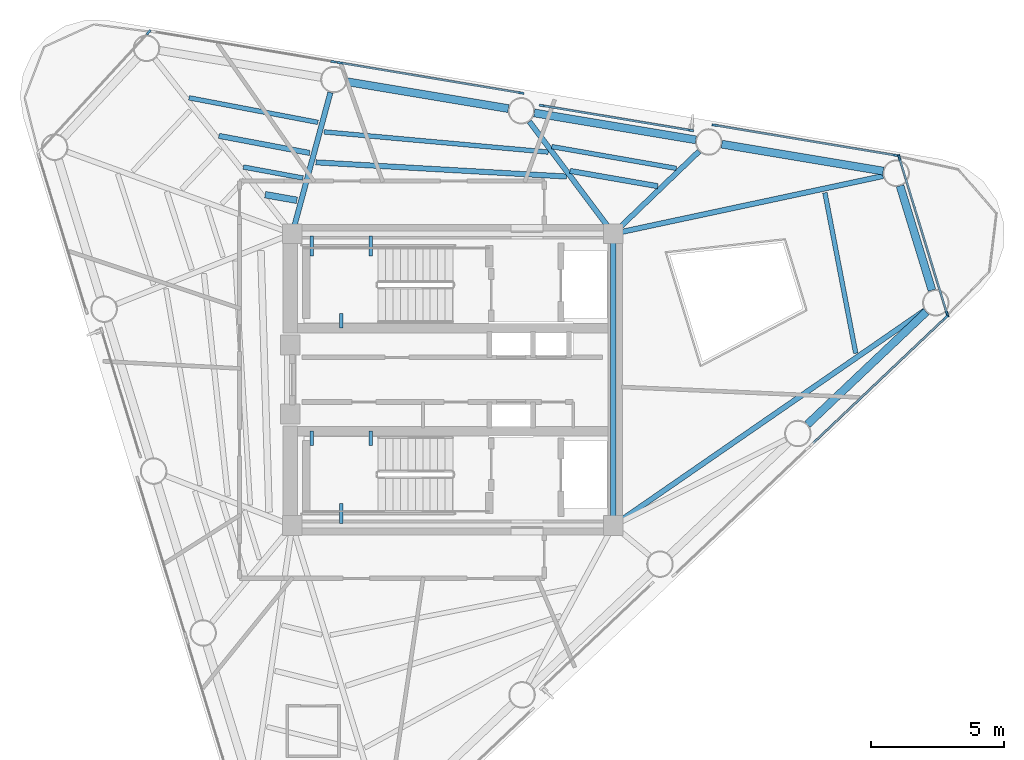
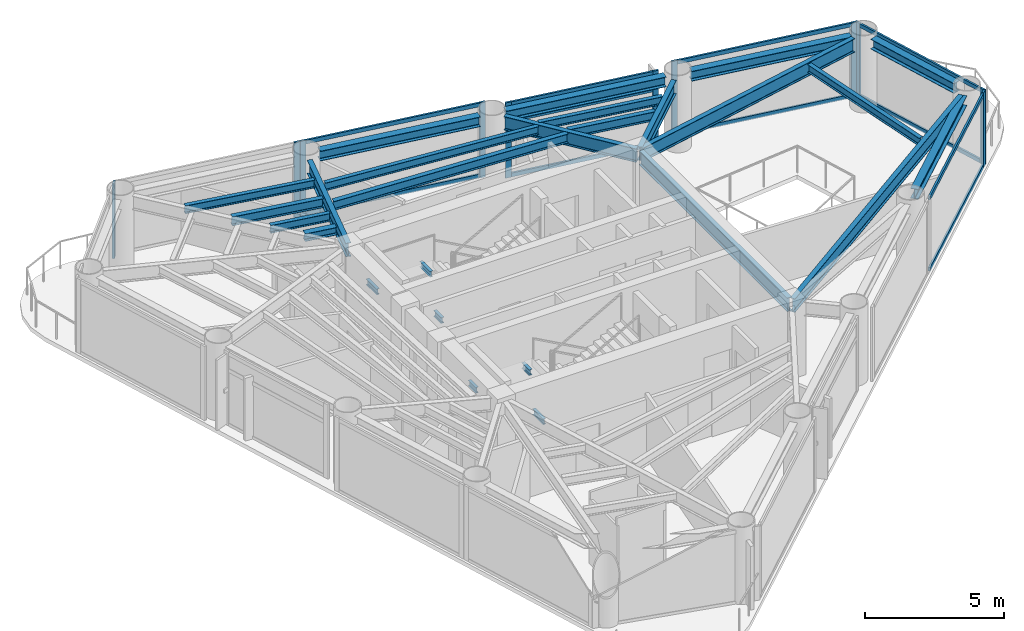
# One storey, part 3 of 8: 26 beams, 22 members, 7 elements without a shape of their own.
"""IFC4 building model written with IfcOpenShell, lengths in metres."""

from ifc_helpers import new_model, si_unit, direction, frame, origin, origin_2d, place, context, subcontext, project, spatial, rectangle, i_section, extrude, source, transform, mapped, material, layer, layer_set, material_profile, profile_set, type_object, element, aggregate, save


model = new_model("IFC4")

# Units and contexts
model_context = context("Model", 3, precision=1e-05, world=origin(), true_north=direction((0.0, 1.0)))
body_context = subcontext(model_context, "Body", "Model", "MODEL_VIEW")
ifc_project = project(units=[si_unit("LENGTHUNIT", "METRE"), si_unit("AREAUNIT", "SQUARE_METRE"), si_unit("VOLUMEUNIT", "CUBIC_METRE"), si_unit("PLANEANGLEUNIT", "RADIAN"), si_unit("MASSUNIT", "GRAM", prefix="KILO")], contexts=[model_context])

# Site, building, storey
site_placement = place(None, origin())
site = spatial("IfcSite", under=ifc_project, at=site_placement, CompositionType="ELEMENT")
building_placement = place(site_placement, origin())
building = spatial("IfcBuilding", under=site, at=building_placement, Name="Yunling Apex Tower", CompositionType="ELEMENT")
storey_placement = place(building_placement, frame((0.0, 0.0, 235.449951171875)))
storey = spatial("IfcBuildingStorey", under=building, at=storey_placement, Name="L57", CompositionType="ELEMENT", Elevation=235.449951171875)

# Beams
ifc_material_1 = material(Name="Steel Q355B", Category="steel")
ifc_material_profile_1 = material_profile(ifc_material_1, i_section(OverallWidth=0.125, OverallDepth=0.25, WebThickness=0.006103515625, FlangeThickness=0.009033203125, FilletRadius=0.011962890625, at=origin_2d()))
ifc_profile_set_1 = profile_set([ifc_material_profile_1], Name="Steel Q355B")
beam_type_1 = type_object("IfcBeamType", Name="BL-LNT-1", PredefinedType="LINTEL", material=ifc_profile_set_1)
shared_shape_1 = source(origin(), body_context, "Body", "SweptSolid", [
    extrude(i_section(OverallWidth=0.125, OverallDepth=0.25, WebThickness=0.006103515625, FlangeThickness=0.009033203125, FilletRadius=0.011962890625, at=origin_2d()), origin(), (0.0, 0.0, 1.0), 0.760009765625),
])
for number, where, z_axis, x_axis, name in (
    (1, (-5.320068359375, 5.419921875, 1.380126953125), (0.0, -1.0, 0.0), (1.0, 0.0, 0.0), "L57 ST-1 Landing Bearing Corbel 1-1"),
    (2, (-3.090087890625, 5.419921875, 1.380126953125), (0.0, -1.0, 0.0), (1.0, 0.0, 0.0), "L57 ST-1 Landing Bearing Corbel 1-2"),
    (3, (-4.205078125, -5.419921875, 1.380126953125), (0.0, 1.0, 0.0), (-1.0, 0.0, 0.0), "L57 ST-2 Landing Bearing Corbel 1-3"),
):
    element("IfcBeam", number, at=place(storey_placement, frame(where, z_axis=z_axis, x_axis=x_axis)), inside=storey, type_object=beam_type_1, Name=name, PredefinedType="LINTEL", context=body_context, shape_type="MappedRepresentation", body=[
        mapped(shared_shape_1, transform((0.0, 0.0, 0.0), scale=1.0)),
    ])
shared_shape_2 = source(origin(), body_context, "Body", "SweptSolid", [
    extrude(i_section(OverallWidth=0.125, OverallDepth=0.25, WebThickness=0.006103515625, FlangeThickness=0.009033203125, FilletRadius=0.011962890625, at=origin_2d()), origin(), (0.0, 0.0, 1.0), 0.550048828125),
])
for number, where, z_axis, x_axis, name in (
    (4, (-4.205078125, 1.93994140625, 1.380126953125), (0.0, 1.0, 0.0), (-1.0, 0.0, 0.0), "L57 ST-1 Landing Bearing Corbel 1-3"),
    (5, (-5.320068359375, -1.93994140625, 1.380126953125), (0.0, -1.0, 0.0), (1.0, 0.0, 0.0), "L57 ST-2 Landing Bearing Corbel 1-1"),
    (6, (-3.090087890625, -1.93994140625, 1.380126953125), (0.0, -1.0, 0.0), (1.0, 0.0, 0.0), "L57 ST-2 Landing Bearing Corbel 1-2"),
):
    element("IfcBeam", number, at=place(storey_placement, frame(where, z_axis=z_axis, x_axis=x_axis)), inside=storey, type_object=beam_type_1, Name=name, PredefinedType="LINTEL", context=body_context, shape_type="MappedRepresentation", body=[
        mapped(shared_shape_2, transform((0.0, 0.0, 0.0), scale=1.0)),
    ])
ifc_material_profile_2 = material_profile(ifc_material_1, i_section(OverallWidth=0.199951171875, OverallDepth=0.60009765625, WebThickness=0.010986328125, FlangeThickness=0.01708984375, FilletRadius=0.02197265625, at=origin_2d()))
ifc_profile_set_2 = profile_set([ifc_material_profile_2], Name="Steel Q355B")
beam_type_2 = type_object("IfcBeamType", Name="BG-PRI-5", PredefinedType="USERDEFINED", material=ifc_profile_set_2)
shared_shape_3 = source(origin(), body_context, "Body", "SweptSolid", [
    extrude(i_section(OverallWidth=0.199951171875, OverallDepth=0.60009765625, WebThickness=0.010986328125, FlangeThickness=0.01708984375, FilletRadius=0.02197265625, at=origin_2d()), origin(), (0.0, 0.0, 1.0), 10.7001953125),
])
beam_1_placement = place(storey_placement, frame((6.050048828125, -5.35009765625, 2.920166015625), z_axis=(0.0, 1.0, 0.0), x_axis=(-1.0, 0.0, 0.0)))
element("IfcBeam", 7, at=beam_1_placement, inside=storey, type_object=beam_type_2, Name="L57 Core Ring Tie Beam 2", ObjectType="GIRDER", PredefinedType="USERDEFINED", context=body_context, shape_type="MappedRepresentation", body=[
    mapped(shared_shape_3, transform((0.0, 0.0, 0.0), scale=1.0)),
])
ifc_material_profile_3 = material_profile(ifc_material_1, i_section(OverallWidth=0.175048828125, OverallDepth=0.35009765625, WebThickness=0.007080078125, FlangeThickness=0.010986328125, FilletRadius=0.013916015625, at=origin_2d()))
ifc_profile_set_3 = profile_set([ifc_material_profile_3], Name="Steel Q355B")
beam_type_3 = type_object("IfcBeamType", Name="BJ-JST-1", PredefinedType="JOIST", material=ifc_profile_set_3)
shared_shape_4 = source(origin(), body_context, "Body", "SweptSolid", [
    extrude(i_section(OverallWidth=0.175048828125, OverallDepth=0.35009765625, WebThickness=0.007080078125, FlangeThickness=0.010986328125, FilletRadius=0.013916015625, at=origin_2d()), origin(), (0.0, 0.0, 1.0), 4.765869140625),
])
beam_2_placement = place(storey_placement, frame((8.42578125, 7.96142578125, 3.045166015625), z_axis=(-0.985022420296, 0.17242630749, 0.0), x_axis=(-0.17242630749, -0.985022420296, 0.0)))
element("IfcBeam", 8, at=beam_2_placement, inside=storey, type_object=beam_type_3, Name="L57 Composite Floor Joist BJ1-7", PredefinedType="JOIST", context=body_context, shape_type="MappedRepresentation", body=[
    mapped(shared_shape_4, transform((0.0, 0.0, 0.0), scale=1.0)),
])
ifc_material_profile_4 = material_profile(ifc_material_1, i_section(OverallWidth=0.300048828125, OverallDepth=0.43994140625, WebThickness=0.010986328125, FlangeThickness=0.01806640625, FilletRadius=0.02197265625, at=origin_2d()))
ifc_profile_set_4 = profile_set([ifc_material_profile_4], Name="Steel Q355B")
beam_type_4 = type_object("IfcBeamType", Name="BP-SPN-3", PredefinedType="SPANDREL", material=ifc_profile_set_4)
shared_shape_5 = source(origin(), body_context, "Body", "SweptSolid", [
    extrude(i_section(OverallWidth=0.300048828125, OverallDepth=0.43994140625, WebThickness=0.010986328125, FlangeThickness=0.01806640625, FilletRadius=0.02197265625, at=origin_2d()), origin(), (0.0, 0.0, 1.0), 6.17333984375),
])
for number, where, z_axis, x_axis, name in (
    (9, (13.36572265625, -1.690185546875, 3.0), (0.725853952128, 0.687848849807, 0.0), (-0.687848849807, 0.725853952128, 0.0), "L57 Perimeter Spandrel Beam 4"),
    (10, (16.224853515625, 7.860595703125, 3.0), (-0.986400336233, 0.164360508275, 0.0), (-0.164360508275, -0.986400336233, 0.0), "L57 Perimeter Spandrel Beam 6"),
    (11, (9.160888671875, 9.03759765625, 3.0), (-0.986400336233, 0.164360508275, 0.0), (-0.164360508275, -0.986400336233, 0.0), "L57 Perimeter Spandrel Beam 7"),
    (12, (2.096923828125, 10.214599609375, 3.0), (-0.986393923832, 0.164398987305, 0.0), (-0.164398987305, -0.986393923832, 0.0), "L57 Perimeter Spandrel Beam 8"),
):
    element("IfcBeam", number, at=place(storey_placement, frame(where, z_axis=z_axis, x_axis=x_axis)), inside=storey, type_object=beam_type_4, Name=name, PredefinedType="SPANDREL", context=body_context, shape_type="MappedRepresentation", body=[
        mapped(shared_shape_5, transform((0.0, 0.0, 0.0), scale=1.0)),
    ])
shared_shape_6 = source(origin(), body_context, "Body", "SweptSolid", [
    extrude(i_section(OverallWidth=0.300048828125, OverallDepth=0.43994140625, WebThickness=0.010986328125, FlangeThickness=0.01806640625, FilletRadius=0.02197265625, at=origin_2d()), origin(), (0.0, 0.0, 1.0), 4.118408203125),
])
beam_3_placement = place(storey_placement, frame((18.060791015625, 3.368408203125, 3.0), z_axis=(-0.292369137572, 0.956305540816, 0.0), x_axis=(-0.956305540816, -0.292369137572, 0.0)))
element("IfcBeam", 13, at=beam_3_placement, inside=storey, type_object=beam_type_4, Name="L57 Perimeter Spandrel Beam 5", PredefinedType="SPANDREL", context=body_context, shape_type="MappedRepresentation", body=[
    mapped(shared_shape_6, transform((0.0, 0.0, 0.0), scale=1.0)),
])
shared_shape_7 = source(origin(), body_context, "Body", "SweptSolid", [
    extrude(i_section(OverallWidth=0.199951171875, OverallDepth=0.60009765625, WebThickness=0.010986328125, FlangeThickness=0.01708984375, FilletRadius=0.02197265625, at=origin_2d()), origin(), (0.0, 0.0, 1.0), 14.18505859375),
])
beam_4_placement = place(storey_placement, frame((17.787353515625, 2.607177734375, 2.920166015625), z_axis=(-0.822805113414, -0.568323627294, 0.0), x_axis=(0.568323627294, -0.822805113414, 0.0)))
element("IfcBeam", 14, at=beam_4_placement, inside=storey, type_object=beam_type_2, Name="L57 Radial Primary Girder R05", ObjectType="GIRDER", PredefinedType="USERDEFINED", context=body_context, shape_type="MappedRepresentation", body=[
    mapped(shared_shape_7, transform((0.0, 0.0, 0.0), scale=1.0)),
])
shared_shape_8 = source(origin(), body_context, "Body", "SweptSolid", [
    extrude(i_section(OverallWidth=0.199951171875, OverallDepth=0.60009765625, WebThickness=0.010986328125, FlangeThickness=0.01708984375, FilletRadius=0.02197265625, at=origin_2d()), origin(), (0.0, 0.0, 1.0), 10.315185546875),
])
beam_5_placement = place(storey_placement, frame((16.21533203125, 7.673095703125, 2.920166015625), z_axis=(-0.977902402009, -0.209061933755, 0.0), x_axis=(0.209061933755, -0.977902402009, 0.0)))
element("IfcBeam", 15, at=beam_5_placement, inside=storey, type_object=beam_type_2, Name="L57 Radial Primary Girder R06", ObjectType="GIRDER", PredefinedType="USERDEFINED", context=body_context, shape_type="MappedRepresentation", body=[
    mapped(shared_shape_8, transform((0.0, 0.0, 0.0), scale=1.0)),
])
shared_shape_9 = source(origin(), body_context, "Body", "SweptSolid", [
    extrude(i_section(OverallWidth=0.199951171875, OverallDepth=0.60009765625, WebThickness=0.010986328125, FlangeThickness=0.01708984375, FilletRadius=0.02197265625, at=origin_2d()), origin(), (0.0, 0.0, 1.0), 4.4013671875),
])
beam_6_placement = place(storey_placement, frame((9.28173828125, 8.6044921875, 2.920166015625), z_axis=(-0.721164480273, -0.69276387925, 0.0), x_axis=(0.69276387925, -0.721164480273, 0.0)))
element("IfcBeam", 16, at=beam_6_placement, inside=storey, type_object=beam_type_2, Name="L57 Radial Primary Girder R07", ObjectType="GIRDER", PredefinedType="USERDEFINED", context=body_context, shape_type="MappedRepresentation", body=[
    mapped(shared_shape_9, transform((0.0, 0.0, 0.0), scale=1.0)),
])
shared_shape_10 = source(origin(), body_context, "Body", "SweptSolid", [
    extrude(i_section(OverallWidth=0.199951171875, OverallDepth=0.60009765625, WebThickness=0.010986328125, FlangeThickness=0.01708984375, FilletRadius=0.02197265625, at=origin_2d()), origin(), (0.0, 0.0, 1.0), 5.1982421875),
])
beam_7_placement = place(storey_placement, frame((2.888427734375, 9.726806640625, 2.920166015625), z_axis=(0.598992593476, -0.800754564746, 0.0), x_axis=(0.800754564746, 0.598992593476, 0.0)))
element("IfcBeam", 17, at=beam_7_placement, inside=storey, type_object=beam_type_2, Name="L57 Radial Primary Girder R08", ObjectType="GIRDER", PredefinedType="USERDEFINED", context=body_context, shape_type="MappedRepresentation", body=[
    mapped(shared_shape_10, transform((0.0, 0.0, 0.0), scale=1.0)),
])
shared_shape_11 = source(origin(), body_context, "Body", "SweptSolid", [
    extrude(i_section(OverallWidth=0.199951171875, OverallDepth=0.60009765625, WebThickness=0.010986328125, FlangeThickness=0.01708984375, FilletRadius=0.02197265625, at=origin_2d()), origin(), (0.0, 0.0, 1.0), 5.43115234375),
])
beam_8_placement = place(storey_placement, frame((-4.6123046875, 10.8203125, 2.920166015625), z_axis=(-0.26085354679, -0.965378385467, 0.0), x_axis=(0.965378385467, -0.26085354679, 0.0)))
element("IfcBeam", 18, at=beam_8_placement, inside=storey, type_object=beam_type_2, Name="L57 Radial Primary Girder R09", ObjectType="GIRDER", PredefinedType="USERDEFINED", context=body_context, shape_type="MappedRepresentation", body=[
    mapped(shared_shape_11, transform((0.0, 0.0, 0.0), scale=1.0)),
])
shared_shape_12 = source(origin(), body_context, "Body", "SweptSolid", [
    extrude(i_section(OverallWidth=0.175048828125, OverallDepth=0.35009765625, WebThickness=0.007080078125, FlangeThickness=0.010986328125, FilletRadius=0.013916015625, at=origin_2d()), origin(), (0.0, 0.0, 1.0), 6.16162109375),
])
beam_9_placement = place(storey_placement, frame((15.189453125, 0.99072265625, 3.045166015625), z_axis=(-0.188765094227, 0.982022270217, 0.0), x_axis=(-0.982022270217, -0.188765094227, 0.0)))
element("IfcBeam", 19, at=beam_9_placement, inside=storey, type_object=beam_type_3, Name="L57 Composite Floor Joist BJ1-5", PredefinedType="JOIST", context=body_context, shape_type="MappedRepresentation", body=[
    mapped(shared_shape_12, transform((0.0, 0.0, 0.0), scale=1.0)),
])
ifc_material_profile_5 = material_profile(ifc_material_1, i_section(OverallWidth=0.199951171875, OverallDepth=0.39990234375, WebThickness=0.008056640625, FlangeThickness=0.012939453125, FilletRadius=0.01611328125, at=origin_2d()))
ifc_profile_set_5 = profile_set([ifc_material_profile_5], Name="Steel Q355B")
beam_type_5 = type_object("IfcBeamType", Name="BS-SEC-4", PredefinedType="BEAM", material=ifc_profile_set_5)
shared_shape_13 = source(origin(), body_context, "Body", "SweptSolid", [
    extrude(i_section(OverallWidth=0.199951171875, OverallDepth=0.39990234375, WebThickness=0.008056640625, FlangeThickness=0.012939453125, FilletRadius=0.01611328125, at=origin_2d()), origin(), (0.0, 0.0, 1.0), 3.361572265625),
])
beam_10_placement = place(storey_placement, frame((7.7275390625, 7.290283203125, 3.02001953125), z_axis=(-0.985137567958, 0.171767203496, 0.0), x_axis=(-0.171767203496, -0.985137567958, 0.0)))
element("IfcBeam", 20, at=beam_10_placement, inside=storey, type_object=beam_type_5, Name="L57 Composite Floor Beam BS-7", PredefinedType="BEAM", context=body_context, shape_type="MappedRepresentation", body=[
    mapped(shared_shape_13, transform((0.0, 0.0, 0.0), scale=1.0)),
])
shared_shape_14 = source(origin(), body_context, "Body", "SweptSolid", [
    extrude(i_section(OverallWidth=0.199951171875, OverallDepth=0.39990234375, WebThickness=0.008056640625, FlangeThickness=0.012939453125, FilletRadius=0.01611328125, at=origin_2d()), origin(), (0.0, 0.0, 1.0), 9.461669921875),
])
beam_11_placement = place(storey_placement, frame((4.28564453125, 7.654541015625, 3.02001953125), z_axis=(-0.998399180074, 0.05656038567, 0.0), x_axis=(-0.05656038567, -0.998399180074, 0.0)))
element("IfcBeam", 21, at=beam_11_placement, inside=storey, type_object=beam_type_5, Name="L57 Composite Floor Beam BS-8", PredefinedType="BEAM", context=body_context, shape_type="MappedRepresentation", body=[
    mapped(shared_shape_14, transform((0.0, 0.0, 0.0), scale=1.0)),
])
shared_shape_15 = source(origin(), body_context, "Body", "SweptSolid", [
    extrude(i_section(OverallWidth=0.175048828125, OverallDepth=0.35009765625, WebThickness=0.007080078125, FlangeThickness=0.010986328125, FilletRadius=0.013916015625, at=origin_2d()), origin(), (0.0, 0.0, 1.0), 8.485107421875),
])
beam_12_placement = place(storey_placement, frame((3.60107421875, 8.575439453125, 3.045166015625), z_axis=(-0.995954531999, 0.089858612221, 0.0), x_axis=(-0.089858612221, -0.995954531999, 0.0)))
element("IfcBeam", 22, at=beam_12_placement, inside=storey, type_object=beam_type_3, Name="L57 Composite Floor Joist BJ1-8", PredefinedType="JOIST", context=body_context, shape_type="MappedRepresentation", body=[
    mapped(shared_shape_15, transform((0.0, 0.0, 0.0), scale=1.0)),
])
shared_shape_16 = source(origin(), body_context, "Body", "SweptSolid", [
    extrude(i_section(OverallWidth=0.199951171875, OverallDepth=0.39990234375, WebThickness=0.008056640625, FlangeThickness=0.012939453125, FilletRadius=0.01611328125, at=origin_2d()), origin(), (0.0, 0.0, 1.0), 3.482421875),
])
beam_13_placement = place(storey_placement, frame((-5.392822265625, 8.54296875, 3.02001953125), z_axis=(-0.98272425545, 0.185075762191, 0.0), x_axis=(-0.185075762191, -0.98272425545, 0.0)))
element("IfcBeam", 23, at=beam_13_placement, inside=storey, type_object=beam_type_5, Name="L57 Composite Floor Beam BS-9", PredefinedType="BEAM", context=body_context, shape_type="MappedRepresentation", body=[
    mapped(shared_shape_16, transform((0.0, 0.0, 0.0), scale=1.0)),
])
shared_shape_17 = source(origin(), body_context, "Body", "SweptSolid", [
    extrude(i_section(OverallWidth=0.175048828125, OverallDepth=0.35009765625, WebThickness=0.007080078125, FlangeThickness=0.010986328125, FilletRadius=0.013916015625, at=origin_2d()), origin(), (0.0, 0.0, 1.0), 4.949951171875),
])
beam_14_placement = place(storey_placement, frame((-5.081298828125, 9.69677734375, 3.045166015625), z_axis=(-0.982345041362, 0.187078111256, 0.0), x_axis=(-0.187078111256, -0.982345041362, 0.0)))
element("IfcBeam", 24, at=beam_14_placement, inside=storey, type_object=beam_type_3, Name="L57 Composite Floor Joist BJ1-9", PredefinedType="JOIST", context=body_context, shape_type="MappedRepresentation", body=[
    mapped(shared_shape_17, transform((0.0, 0.0, 0.0), scale=1.0)),
])
shared_shape_18 = source(origin(), body_context, "Body", "SweptSolid", [
    extrude(i_section(OverallWidth=0.175048828125, OverallDepth=0.35009765625, WebThickness=0.007080078125, FlangeThickness=0.010986328125, FilletRadius=0.013916015625, at=origin_2d()), origin(), (0.0, 0.0, 1.0), 2.28173828125),
])
beam_15_placement = place(storey_placement, frame((-5.64794921875, 7.5986328125, 3.045166015625), z_axis=(-0.983336596367, 0.181794219503, 0.0), x_axis=(-0.181794219503, -0.983336596367, 0.0)))
element("IfcBeam", 25, at=beam_15_placement, inside=storey, type_object=beam_type_3, Name="L57 Composite Floor Joist BJ3-9", PredefinedType="JOIST", context=body_context, shape_type="MappedRepresentation", body=[
    mapped(shared_shape_18, transform((0.0, 0.0, 0.0), scale=1.0)),
])
ifc_material_profile_6 = material_profile(ifc_material_1, i_section(OverallWidth=0.25, OverallDepth=0.340087890625, WebThickness=0.009033203125, FlangeThickness=0.013916015625, FilletRadius=0.01806640625, at=origin_2d()))
ifc_profile_set_6 = profile_set([ifc_material_profile_6], Name="Steel Q355B")
beam_type_6 = type_object("IfcBeamType", Name="BJ-JST-2", PredefinedType="JOIST", material=ifc_profile_set_6)
shared_shape_19 = source(origin(), body_context, "Body", "SweptSolid", [
    extrude(i_section(OverallWidth=0.25, OverallDepth=0.340087890625, WebThickness=0.009033203125, FlangeThickness=0.013916015625, FilletRadius=0.01806640625, at=origin_2d()), origin(), (0.0, 0.0, 1.0), 1.214111328125),
])
beam_16_placement = place(storey_placement, frame((-5.875, 6.758544921875, 3.050048828125), z_axis=(-0.98465170233, 0.174530871477, 0.0), x_axis=(-0.174530871477, -0.98465170233, 0.0)))
element("IfcBeam", 26, at=beam_16_placement, inside=storey, type_object=beam_type_6, Name="L57 Composite Floor Joist BJ2-9", PredefinedType="JOIST", context=body_context, shape_type="MappedRepresentation", body=[
    mapped(shared_shape_19, transform((0.0, 0.0, 0.0), scale=1.0)),
])

# Curtain wall, members
ifc_material_2 = material(Name="Bronze anodised aluminium", Category="aluminium")
ifc_layer = layer(ifc_material_2, 0.219970703125)
ifc_layer_set = layer_set([ifc_layer], Name="Bronze anodised aluminium")
curtain_wall_type = type_object("IfcCurtainWallType", Name="CW-SYS-4", PredefinedType="NOTDEFINED", material=ifc_layer_set)
curtain_wall_1_placement = place(storey_placement, origin())
curtain_wall_1 = element("IfcCurtainWall", 27, at=curtain_wall_1_placement, inside=storey, type_object=curtain_wall_type, Name="CW-L57-F1-B4", PredefinedType="NOTDEFINED")
ifc_material_profile_7 = material_profile(ifc_material_2, rectangle(XDim=0.080078125, YDim=0.169921875, at=origin_2d()))
ifc_profile_set_7 = profile_set([ifc_material_profile_7], Name="Bronze anodised aluminium")
member_type_1 = type_object("IfcMemberType", Name="CW-TRN-4", PredefinedType="USERDEFINED", material=ifc_profile_set_7)
shared_shape_20 = source(origin(), body_context, "Body", "SweptSolid", [
    extrude(rectangle(XDim=0.080078125, YDim=0.169921875, at=origin_2d()), origin(), (0.0, 0.0, 1.0), 6.849365234375),
])
member_1_placement = place(storey_placement, frame((13.574462890625, -2.40185546875, 0.0400390625), z_axis=(0.725849647065, 0.687853392705, 0.0), x_axis=(-0.687853392705, 0.725849647065, 0.0)))
member_1 = element("IfcMember", 28, at=member_1_placement, type_object=member_type_1, Name="CW-SYS-4 transom 1.1", ObjectType="TRANSOM", PredefinedType="USERDEFINED", context=body_context, shape_type="MappedRepresentation", body=[
    mapped(shared_shape_20, transform((0.0, 0.0, 0.0), scale=1.0)),
])
member_2_placement = place(storey_placement, frame((13.574462890625, -2.40185546875, 3.179931640625), z_axis=(0.725849647065, 0.687853392705, 0.0), x_axis=(-0.687853392705, 0.725849647065, 0.0)))
member_2 = element("IfcMember", 29, at=member_2_placement, type_object=member_type_1, Name="CW-SYS-4 transom 1.2", ObjectType="TRANSOM", PredefinedType="USERDEFINED", context=body_context, shape_type="MappedRepresentation", body=[
    mapped(shared_shape_20, transform((0.0, 0.0, 0.0), scale=1.0)),
])

curtain_wall_2_placement = place(storey_placement, origin())
curtain_wall_2 = element("IfcCurtainWall", 30, at=curtain_wall_2_placement, inside=storey, type_object=curtain_wall_type, Name="CW-L57-F2-B1", PredefinedType="NOTDEFINED")
member_3_placement = place(storey_placement, frame((16.666748046875, 8.456298828125, 0.0400390625), z_axis=(-0.986400666628, 0.164358525415, 0.0), x_axis=(-0.164358525415, -0.986400666628, 0.0)))
member_3 = element("IfcMember", 31, at=member_3_placement, type_object=member_type_1, Name="CW-SYS-4 transom 1.1", ObjectType="TRANSOM", PredefinedType="USERDEFINED", context=body_context, shape_type="MappedRepresentation", body=[
    mapped(shared_shape_20, transform((0.0, 0.0, 0.0), scale=1.0)),
])
member_4_placement = place(storey_placement, frame((16.666748046875, 8.456298828125, 3.179931640625), z_axis=(-0.986400666628, 0.164358525415, 0.0), x_axis=(-0.164358525415, -0.986400666628, 0.0)))
member_4 = element("IfcMember", 32, at=member_4_placement, type_object=member_type_1, Name="CW-SYS-4 transom 1.2", ObjectType="TRANSOM", PredefinedType="USERDEFINED", context=body_context, shape_type="MappedRepresentation", body=[
    mapped(shared_shape_20, transform((0.0, 0.0, 0.0), scale=1.0)),
])

curtain_wall_3_placement = place(storey_placement, origin())
curtain_wall_3 = element("IfcCurtainWall", 33, at=curtain_wall_3_placement, inside=storey, type_object=curtain_wall_type, Name="CW-L57-CRN1", PredefinedType="NOTDEFINED")
shared_shape_21 = source(origin(), body_context, "Body", "SweptSolid", [
    extrude(rectangle(XDim=0.080078125, YDim=0.169921875, at=origin_2d()), origin(), (0.0, 0.0, 1.0), 6.100830078125),
])
member_5_placement = place(storey_placement, frame((18.623291015625, 2.50390625, 0.0400390625), z_axis=(-0.292370017789, 0.956305271709, 0.0), x_axis=(-0.956305271709, -0.292370017789, 0.0)))
member_5 = element("IfcMember", 34, at=member_5_placement, type_object=member_type_1, Name="CW-SYS-4 transom 1.1", ObjectType="TRANSOM", PredefinedType="USERDEFINED", context=body_context, shape_type="MappedRepresentation", body=[
    mapped(shared_shape_21, transform((0.0, 0.0, 0.0), scale=1.0)),
])
member_6_placement = place(storey_placement, frame((18.623291015625, 2.50390625, 3.179931640625), z_axis=(-0.292370017789, 0.956305271709, 0.0), x_axis=(-0.956305271709, -0.292370017789, 0.0)))
member_6 = element("IfcMember", 35, at=member_6_placement, type_object=member_type_1, Name="CW-SYS-4 transom 1.2", ObjectType="TRANSOM", PredefinedType="USERDEFINED", context=body_context, shape_type="MappedRepresentation", body=[
    mapped(shared_shape_21, transform((0.0, 0.0, 0.0), scale=1.0)),
])

curtain_wall_4_placement = place(storey_placement, origin())
curtain_wall_4 = element("IfcCurtainWall", 36, at=curtain_wall_4_placement, inside=storey, type_object=curtain_wall_type, Name="CW-L57-F2-B2", PredefinedType="NOTDEFINED")
shared_shape_22 = source(origin(), body_context, "Body", "SweptSolid", [
    extrude(rectangle(XDim=0.080078125, YDim=0.169921875, at=origin_2d()), origin(), (0.0, 0.0, 1.0), 5.609375),
])
member_7_placement = place(storey_placement, frame((8.935302734375, 9.399658203125, 0.0400390625), z_axis=(-0.986395100144, 0.164391929279, 0.0), x_axis=(-0.164391929279, -0.986395100144, 0.0)))
member_7 = element("IfcMember", 37, at=member_7_placement, type_object=member_type_1, Name="CW-SYS-4 transom 1.1", ObjectType="TRANSOM", PredefinedType="USERDEFINED", context=body_context, shape_type="MappedRepresentation", body=[
    mapped(shared_shape_22, transform((0.0, 0.0, 0.0), scale=1.0)),
])
member_8_placement = place(storey_placement, frame((8.935302734375, 9.399658203125, 2.447265625), z_axis=(-0.986395100144, 0.164391929279, 0.0), x_axis=(-0.164391929279, -0.986395100144, 0.0)))
member_8 = element("IfcMember", 38, at=member_8_placement, type_object=member_type_1, Name="CW-SYS-4 transom 1.2", ObjectType="TRANSOM", PredefinedType="USERDEFINED", context=body_context, shape_type="MappedRepresentation", body=[
    mapped(shared_shape_22, transform((0.0, 0.0, 0.0), scale=1.0)),
])
member_9_placement = place(storey_placement, frame((8.935302734375, 9.399658203125, 3.179931640625), z_axis=(-0.986395100144, 0.164391929279, 0.0), x_axis=(-0.164391929279, -0.986395100144, 0.0)))
member_9 = element("IfcMember", 39, at=member_9_placement, type_object=member_type_1, Name="CW-SYS-4 transom 1.3", ObjectType="TRANSOM", PredefinedType="USERDEFINED", context=body_context, shape_type="MappedRepresentation", body=[
    mapped(shared_shape_22, transform((0.0, 0.0, 0.0), scale=1.0)),
])

curtain_wall_5_placement = place(storey_placement, origin())
curtain_wall_5 = element("IfcCurtainWall", 40, at=curtain_wall_5_placement, inside=storey, type_object=curtain_wall_type, Name="CW-L57-F2-B3", PredefinedType="NOTDEFINED")
shared_shape_23 = source(origin(), body_context, "Body", "SweptSolid", [
    extrude(rectangle(XDim=0.080078125, YDim=0.169921875, at=origin_2d()), origin(), (0.0, 0.0, 1.0), 6.849609375),
])
member_10_placement = place(storey_placement, frame((2.538818359375, 10.810302734375, 0.0400390625), z_axis=(-0.986401629478, 0.164352746749, 0.0), x_axis=(-0.164352746749, -0.986401629478, 0.0)))
member_10 = element("IfcMember", 41, at=member_10_placement, type_object=member_type_1, Name="CW-SYS-4 transom 1.1", ObjectType="TRANSOM", PredefinedType="USERDEFINED", context=body_context, shape_type="MappedRepresentation", body=[
    mapped(shared_shape_23, transform((0.0, 0.0, 0.0), scale=1.0)),
])
member_11_placement = place(storey_placement, frame((2.538818359375, 10.810302734375, 3.179931640625), z_axis=(-0.986401629478, 0.164352746749, 0.0), x_axis=(-0.164352746749, -0.986401629478, 0.0)))
member_11 = element("IfcMember", 42, at=member_11_placement, type_object=member_type_1, Name="CW-SYS-4 transom 1.2", ObjectType="TRANSOM", PredefinedType="USERDEFINED", context=body_context, shape_type="MappedRepresentation", body=[
    mapped(shared_shape_23, transform((0.0, 0.0, 0.0), scale=1.0)),
])

# Member
ifc_material_profile_8 = material_profile(ifc_material_2, rectangle(XDim=0.080078125, YDim=0.219970703125, at=origin_2d()))
ifc_profile_set_8 = profile_set([ifc_material_profile_8], Name="Bronze anodised aluminium")
member_type_2 = type_object("IfcMemberType", Name="CW-MUL-4", PredefinedType="MULLION", material=ifc_profile_set_8)
shared_shape_24 = source(origin(), body_context, "Body", "SweptSolid", [
    extrude(rectangle(XDim=0.080078125, YDim=0.219970703125, at=origin_2d()), origin(), (0.0, 0.0, 1.0), 3.320068359375),
])
member_12_placement = place(storey_placement, frame((18.572265625, 2.334228515625, -0.050048828125), z_axis=(0.0, 0.0, 1.0), x_axis=(-0.687848040467, 0.72585471909, 0.0)))
member_12 = element("IfcMember", 43, at=member_12_placement, type_object=member_type_2, Name="CW-SYS-4 mullion 2", PredefinedType="MULLION", context=body_context, shape_type="MappedRepresentation", body=[
    mapped(shared_shape_24, transform((0.0, 0.0, 0.0), scale=1.0)),
])

aggregate(curtain_wall_1, [member_12, member_1, member_2])

member_13_placement = place(storey_placement, frame((18.6337890625, 2.469482421875, -0.050048828125), z_axis=(0.0, 0.0, 1.0), x_axis=(-0.956305498685, -0.292369275379, 0.0)))
member_13 = element("IfcMember", 44, at=member_13_placement, type_object=member_type_2, Name="CW-SYS-4 mullion 1", PredefinedType="MULLION", context=body_context, shape_type="MappedRepresentation", body=[
    mapped(shared_shape_24, transform((0.0, 0.0, 0.0), scale=1.0)),
])

member_14_placement = place(storey_placement, frame((16.8291015625, 8.37255859375, -0.050048828125), z_axis=(0.0, 0.0, 1.0), x_axis=(-0.956305498685, -0.292369275379, 0.0)))
member_14 = element("IfcMember", 45, at=member_14_placement, type_object=member_type_2, Name="CW-SYS-4 mullion 2", PredefinedType="MULLION", context=body_context, shape_type="MappedRepresentation", body=[
    mapped(shared_shape_24, transform((0.0, 0.0, 0.0), scale=1.0)),
])

aggregate(curtain_wall_3, [member_13, member_14, member_5, member_6])

member_15_placement = place(storey_placement, frame((16.702392578125, 8.4501953125, -0.050048828125), z_axis=(0.0, 0.0, 1.0), x_axis=(-0.164352664392, -0.9864016432, 0.0)))
member_15 = element("IfcMember", 46, at=member_15_placement, type_object=member_type_2, Name="CW-SYS-4 mullion 1", PredefinedType="MULLION", context=body_context, shape_type="MappedRepresentation", body=[
    mapped(shared_shape_24, transform((0.0, 0.0, 0.0), scale=1.0)),
])

member_16_placement = place(storey_placement, frame((9.875, 9.587890625, -0.050048828125), z_axis=(0.0, 0.0, 1.0), x_axis=(-0.164352664392, -0.9864016432, 0.0)))
member_16 = element("IfcMember", 47, at=member_16_placement, type_object=member_type_2, Name="CW-SYS-4 mullion 2", PredefinedType="MULLION", context=body_context, shape_type="MappedRepresentation", body=[
    mapped(shared_shape_24, transform((0.0, 0.0, 0.0), scale=1.0)),
])

aggregate(curtain_wall_2, [member_15, member_16, member_3, member_4])

member_17_placement = place(storey_placement, frame((8.970947265625, 9.393798828125, -0.050048828125), z_axis=(0.0, 0.0, 1.0), x_axis=(-0.164370840747, -0.986398614513, 0.0)))
member_17 = element("IfcMember", 48, at=member_17_placement, type_object=member_type_2, Name="CW-SYS-4 mullion 1", PredefinedType="MULLION", context=body_context, shape_type="MappedRepresentation", body=[
    mapped(shared_shape_24, transform((0.0, 0.0, 0.0), scale=1.0)),
])

member_18_placement = place(storey_placement, frame((3.36669921875, 10.32763671875, -0.050048828125), z_axis=(0.0, 0.0, 1.0), x_axis=(-0.164370840747, -0.986398614513, 0.0)))
member_18 = element("IfcMember", 49, at=member_18_placement, type_object=member_type_2, Name="CW-SYS-4 mullion 2", PredefinedType="MULLION", context=body_context, shape_type="MappedRepresentation", body=[
    mapped(shared_shape_24, transform((0.0, 0.0, 0.0), scale=1.0)),
])

aggregate(curtain_wall_4, [member_17, member_18, member_7, member_8, member_9])

member_19_placement = place(storey_placement, frame((2.574462890625, 10.804443359375, -0.050048828125), z_axis=(0.0, 0.0, 1.0), x_axis=(-0.164352664392, -0.9864016432, 0.0)))
member_19 = element("IfcMember", 50, at=member_19_placement, type_object=member_type_2, Name="CW-SYS-4 mullion 1", PredefinedType="MULLION", context=body_context, shape_type="MappedRepresentation", body=[
    mapped(shared_shape_24, transform((0.0, 0.0, 0.0), scale=1.0)),
])

member_20_placement = place(storey_placement, frame((-4.2529296875, 11.94189453125, -0.050048828125), z_axis=(0.0, 0.0, 1.0), x_axis=(-0.164352664392, -0.9864016432, 0.0)))
member_20 = element("IfcMember", 51, at=member_20_placement, type_object=member_type_2, Name="CW-SYS-4 mullion 2", PredefinedType="MULLION", context=body_context, shape_type="MappedRepresentation", body=[
    mapped(shared_shape_24, transform((0.0, 0.0, 0.0), scale=1.0)),
])

aggregate(curtain_wall_5, [member_19, member_20, member_10, member_11])

# Curtain wall, member
curtain_wall_6_placement = place(storey_placement, origin())
curtain_wall_6 = element("IfcCurtainWall", 52, at=curtain_wall_6_placement, inside=storey, type_object=curtain_wall_type, Name="CW-L57-F2-B4", PredefinedType="NOTDEFINED")
member_21_placement = place(storey_placement, frame((-4.48974609375, 11.9814453125, -0.050048828125), z_axis=(0.0, 0.0, 1.0), x_axis=(-0.164352664392, -0.9864016432, 0.0)))
member_21 = element("IfcMember", 53, at=member_21_placement, type_object=member_type_2, Name="CW-SYS-4 mullion 1", PredefinedType="MULLION", context=body_context, shape_type="MappedRepresentation", body=[
    mapped(shared_shape_24, transform((0.0, 0.0, 0.0), scale=1.0)),
])
aggregate(curtain_wall_6, [member_21])

curtain_wall_7_placement = place(storey_placement, origin())
curtain_wall_7 = element("IfcCurtainWall", 54, at=curtain_wall_7_placement, inside=storey, type_object=curtain_wall_type, Name="CW-L57-CRN2", PredefinedType="NOTDEFINED")
member_22_placement = place(storey_placement, frame((-11.465576171875, 13.08935546875, -0.050048828125), z_axis=(0.0, 0.0, 1.0), x_axis=(0.736133922549, -0.676835909266, 0.0)))
member_22 = element("IfcMember", 55, at=member_22_placement, type_object=member_type_2, Name="CW-SYS-4 mullion 1", PredefinedType="MULLION", context=body_context, shape_type="MappedRepresentation", body=[
    mapped(shared_shape_24, transform((0.0, 0.0, 0.0), scale=1.0)),
])
aggregate(curtain_wall_7, [member_22])

save(model, "model.ifc")
